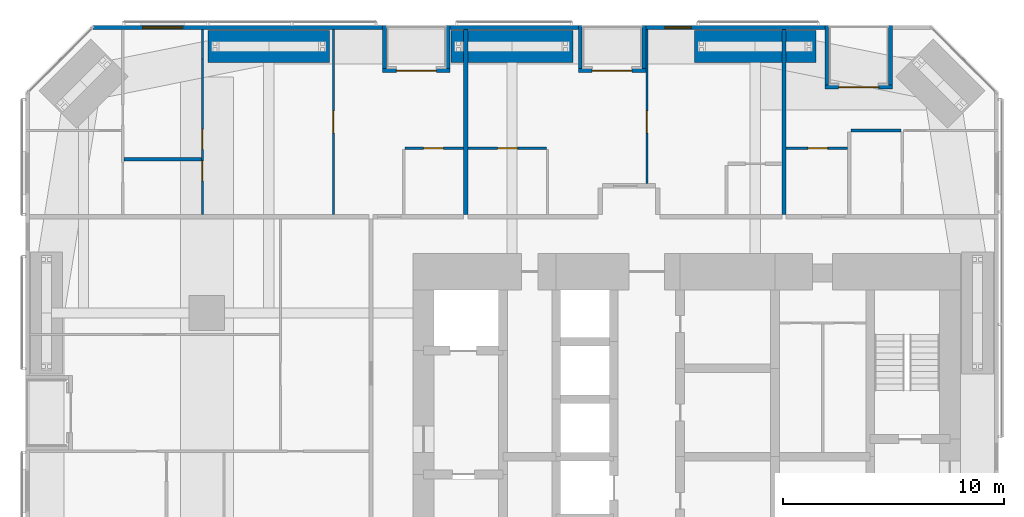
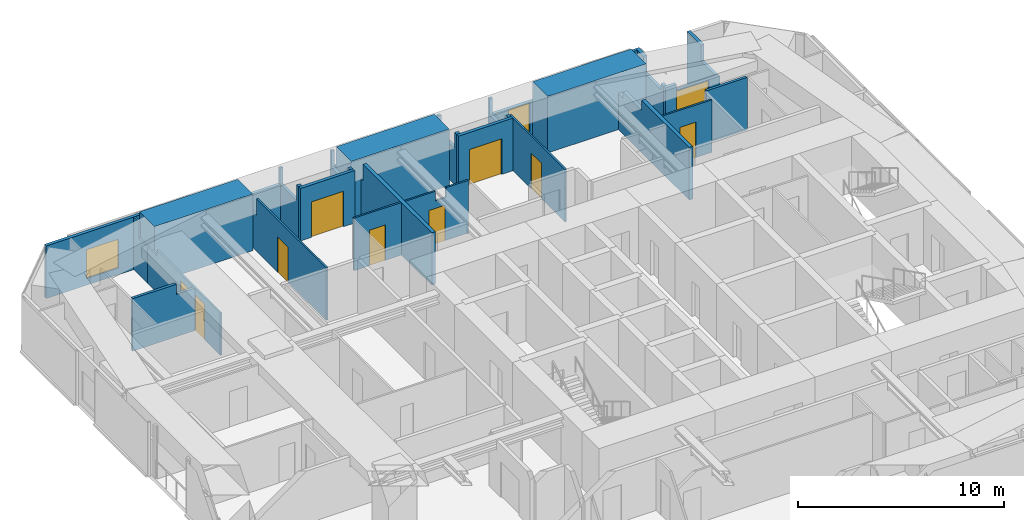
# One storey, part 22 of 24: 27 walls, 10 doors, 2 windows, 12 openings.
"""IFC4 building model written with IfcOpenShell, lengths in metres."""

from ifc_helpers import new_model, si_unit, direction, frame, frame_2d, origin, place, context, subcontext, project, spatial, polyline, rectangle, outline, extrude, material, layer, layer_set, constituent, constituent_set, type_object, element, fill, save


model = new_model("IFC4")

# Units and contexts
model_context = context("Model", 3, precision=1e-05, world=origin(), true_north=direction((0.0, 1.0)))
body_context = subcontext(model_context, "Body", "Model", "MODEL_VIEW")
ifc_project = project(units=[si_unit("LENGTHUNIT", "METRE"), si_unit("AREAUNIT", "SQUARE_METRE"), si_unit("VOLUMEUNIT", "CUBIC_METRE"), si_unit("PLANEANGLEUNIT", "RADIAN"), si_unit("MASSUNIT", "GRAM", prefix="KILO")], contexts=[model_context])

# Site, building, storey
site_placement = place(None, origin())
site = spatial("IfcSite", under=ifc_project, at=site_placement, CompositionType="ELEMENT")
building_placement = place(site_placement, origin())
building = spatial("IfcBuilding", under=site, at=building_placement, Name="Jalousie Tower", CompositionType="ELEMENT")
storey_placement = place(building_placement, frame((0.0, 0.0, 47.800048828125)))
storey = spatial("IfcBuildingStorey", under=building, at=storey_placement, Name="L12", CompositionType="ELEMENT", Elevation=47.800048828125)

# Walls
ifc_material_1 = material(Name="Concrete block ASTM C90", Category="concrete")
ifc_constituent_1 = constituent(ifc_material_1, Name="Body")
ifc_material_2 = material(Name="Render")
ifc_constituent_2 = constituent(ifc_material_2, Name="Finish")
ifc_constituent_set_1 = constituent_set(constituents=[ifc_constituent_1, ifc_constituent_2])
wall_type_1 = type_object("IfcWallType", Name="BATHROOM WALL 150", PredefinedType="PLUMBINGWALL", material=ifc_constituent_set_1)
wall_1_placement = place(storey_placement, frame((6.449951171875, 31.949951171875, 0.0), z_axis=(0.0, 0.0, 1.0), x_axis=(1.0, 0.0, 0.0)))
element("IfcWall", 1, at=wall_1_placement, inside=storey, type_object=wall_type_1, Name="Bathroom Wall 150 L12", PredefinedType="PLUMBINGWALL", context=body_context, shape_type="SweptSolid", body=[
    extrude(outline(polyline([(0.0, 0.0), (3.5, 0.0), (3.5, 3.10986328125), (3.5, 2.510009765625), (2.465087890625, 2.510009765625), (2.465087890625, 3.10986328125), (0.0, 3.10986328125), (0.0, 0.0)])), frame((0.0, 0.074951171875, 0.0), z_axis=(0.0, -1.0, 0.0), x_axis=(1.0, 0.0, 0.0)), (0.0, 0.0, 1.0), 0.14990234375),
])
wall_2_placement = place(storey_placement, frame((39.324951171875, 33.25341796875, 0.0), z_axis=(0.0, 0.0, 1.0), x_axis=(1.0, 0.0, 0.0)))
element("IfcWall", 2, at=wall_2_placement, inside=storey, type_object=wall_type_1, Name="Bathroom Wall 150 L12", PredefinedType="PLUMBINGWALL", context=body_context, shape_type="SweptSolid", body=[
    extrude(rectangle(XDim=2.275146484375, YDim=0.14990234375, at=frame_2d((1.1376953125, 0.0))), origin(), (0.0, 0.0, 1.0), 3.10986328125),
])

# Wall, opening, window
ifc_material_3 = material(Name="Concrete f'c 40 MPa", Category="concrete")
ifc_constituent_3 = constituent(ifc_material_3, Name="Body")
ifc_material_4 = material(Name="Render, pastel coral")
ifc_constituent_4 = constituent(ifc_material_4, Name="Finish")
ifc_constituent_set_2 = constituent_set(constituents=[ifc_constituent_3, ifc_constituent_4])
wall_type_2 = type_object("IfcWallType", Name="EXTERNAL WALL 175 CORAL RENDER", PredefinedType="SOLIDWALL", material=ifc_constituent_set_2)
wall_3_placement = place(storey_placement, frame((38.148681640625, 37.91259765625, 0.0), z_axis=(0.0, 0.0, 1.0), x_axis=(-1.0, 0.0, 0.0)))
wall_3 = element("IfcWall", 3, at=wall_3_placement, inside=storey, type_object=wall_type_2, Name="External Wall 175 Coral Render L12", PredefinedType="SOLIDWALL", context=body_context, shape_type="SweptSolid", body=[
    extrude(outline(polyline([(0.0, 0.0), (8.0986328125, 0.0), (8.0986328125, 2.14990234375), (3.148681640625, 2.14990234375), (3.148681640625, 3.10986328125), (2.992919921875, 3.10986328125), (2.992919921875, 2.14990234375), (2.944580078125, 2.14990234375), (2.944580078125, 3.10986328125), (0.0, 3.10986328125), (0.0, 0.0)])), frame((0.0, 0.08740234375, 0.0), z_axis=(0.0, -1.0, 0.0), x_axis=(1.0, 0.0, 0.0)), (0.0, 0.0, 1.0), 0.175048828125),
])
opening_1_placement = place(wall_3_placement, frame((6.03369140625, 0.0, 0.39990234375)))
opening_1 = element("IfcOpeningElement", 4, at=opening_1_placement, cuts=wall_3, Name="Opening W-COR170", PredefinedType="OPENING", context=body_context, shape_type="SweptSolid", body=[
    extrude(rectangle(XDim=1.199951171875, YDim=1.699951171875, at=frame_2d((0.60009765625, 0.85009765625))), frame((0.0, 0.097412109375, 0.0), z_axis=(0.0, -1.0, 0.0), x_axis=(1.0, 0.0, 0.0)), (0.0, 0.0, 1.0), 0.195068359375),
])
ifc_material_5 = material(Name="Aluminium frame, impact-rated glazing", Category="aluminium")
window_type_1 = type_object("IfcWindowType", Name="WINDOW COR 1200x1700", PartitioningType="SINGLE_PANEL", PredefinedType="WINDOW", material=ifc_material_5)
window_1_placement = place(opening_1_placement, origin())
window_1 = element("IfcWindow", 5, at=window_1_placement, inside=storey, type_object=window_type_1, Name="Apartment 1204 dining room window", OverallHeight=1.699951171875, OverallWidth=1.199951171875, PartitioningType="SINGLE_PANEL", PredefinedType="WINDOW", context=body_context, shape_type="SweptSolid", body=[
    extrude(rectangle(XDim=1.199951171875, YDim=1.699951171875, at=frame_2d((0.60009765625, 0.85009765625))), frame((0.0, 0.030029296875, 0.0), z_axis=(0.0, -1.0, 0.0), x_axis=(1.0, 0.0, 0.0)), (0.0, 0.0, 1.0), 0.06005859375),
])
fill(opening_1, window_1)

# Wall
wall_4_placement = place(storey_placement, frame((27.0, 37.91259765625, 0.0), z_axis=(0.0, 0.0, 1.0), x_axis=(-1.0, 0.0, 0.0)))
element("IfcWall", 6, at=wall_4_placement, inside=storey, type_object=wall_type_2, Name="External Wall 175 Coral Render L12", PredefinedType="SOLIDWALL", context=body_context, shape_type="SweptSolid", body=[
    extrude(rectangle(XDim=5.800048828125, YDim=0.175048828125, at=frame_2d((2.89990234375, 0.0))), origin(), (0.0, 0.0, 1.0), 2.14990234375),
])

# Wall, opening, window
wall_5_placement = place(storey_placement, frame((18.14990234375, 37.91259765625, 0.0), z_axis=(0.0, 0.0, 1.0), x_axis=(-1.0, 0.0, 0.0)))
wall_5 = element("IfcWall", 7, at=wall_5_placement, inside=storey, type_object=wall_type_2, Name="External Wall 175 Coral Render L12", PredefinedType="SOLIDWALL", context=body_context, shape_type="SweptSolid", body=[
    extrude(outline(polyline([(0.0, 0.0), (13.0986328125, 0.0), (13.0986328125, 3.10986328125), (5.35400390625, 3.10986328125), (5.35400390625, 2.14990234375), (5.3056640625, 2.14990234375), (5.3056640625, 3.10986328125), (5.14990234375, 3.10986328125), (5.14990234375, 2.14990234375), (0.0, 2.14990234375), (0.0, 0.0)])), frame((0.0, 0.08740234375, 0.0), z_axis=(0.0, -1.0, 0.0), x_axis=(1.0, 0.0, 0.0)), (0.0, 0.0, 1.0), 0.175048828125),
])
opening_2_placement = place(wall_5_placement, frame((9.050048828125, 0.0, 0.39990234375)))
opening_2 = element("IfcOpeningElement", 8, at=opening_2_placement, cuts=wall_5, Name="Opening W-BED170", PredefinedType="OPENING", context=body_context, shape_type="SweptSolid", body=[
    extrude(rectangle(XDim=1.800048828125, YDim=1.699951171875, at=frame_2d((0.89990234375, 0.85009765625))), frame((0.0, 0.097412109375, 0.0), z_axis=(0.0, -1.0, 0.0), x_axis=(1.0, 0.0, 0.0)), (0.0, 0.0, 1.0), 0.195068359375),
])
ifc_material_6 = material(Name="Aluminium frame, impact-rated glazing", Category="aluminium")
window_type_2 = type_object("IfcWindowType", Name="WINDOW BED 1800x1700", PartitioningType="SINGLE_PANEL", PredefinedType="WINDOW", material=ifc_material_6)
window_2_placement = place(opening_2_placement, origin())
window_2 = element("IfcWindow", 9, at=window_2_placement, inside=storey, type_object=window_type_2, Name="Apartment 1203 bedroom 2 window", OverallHeight=1.699951171875, OverallWidth=1.800048828125, PartitioningType="SINGLE_PANEL", PredefinedType="WINDOW", context=body_context, shape_type="SweptSolid", body=[
    extrude(rectangle(XDim=1.800048828125, YDim=1.699951171875, at=frame_2d((0.89990234375, 0.85009765625))), frame((0.0, 0.030029296875, 0.0), z_axis=(0.0, -1.0, 0.0), x_axis=(1.0, 0.0, 0.0)), (0.0, 0.0, 1.0), 0.06005859375),
])
fill(opening_2, window_2)

# Wall, opening, door
wall_6_placement = place(storey_placement, frame((41.19873046875, 35.21240234375, 0.0), z_axis=(0.0, 0.0, 1.0), x_axis=(-1.0, 0.0, 0.0)))
wall_6 = element("IfcWall", 10, at=wall_6_placement, inside=storey, type_object=wall_type_2, Name="External Wall 175 Coral Render L12-A", PredefinedType="SOLIDWALL", context=body_context, shape_type="SweptSolid", body=[
    extrude(rectangle(XDim=2.425048828125, YDim=0.175048828125, at=frame_2d((1.21240234375, 0.0))), origin(), (0.0, 0.0, 1.0), 2.14990234375),
])
opening_3_placement = place(wall_6_placement, frame((0.625, 0.0, 0.0)))
opening_3 = element("IfcOpeningElement", 11, at=opening_3_placement, cuts=wall_6, Name="Opening D-BAL21", PredefinedType="OPENING", context=body_context, shape_type="SweptSolid", body=[
    extrude(rectangle(XDim=1.800048828125, YDim=2.10009765625, at=frame_2d((0.89990234375, 1.050048828125))), frame((0.0, 0.097412109375, 0.0), z_axis=(0.0, -1.0, 0.0), x_axis=(1.0, 0.0, 0.0)), (0.0, 0.0, 1.0), 0.195068359375),
])
ifc_material_7 = material(Name="Aluminium frame, impact-rated glazing", Category="aluminium")
door_type_1 = type_object("IfcDoorType", Name="BALCONY DOOR 1800x2100", OperationType="SLIDING_TO_LEFT", PredefinedType="DOOR", material=ifc_material_7)
door_1_placement = place(opening_3_placement, origin())
door_1 = element("IfcDoor", 12, at=door_1_placement, inside=storey, type_object=door_type_1, Name="Apartment 1205 living and dining room loggia door", OperationType="SLIDING_TO_LEFT", OverallHeight=2.10009765625, OverallWidth=1.800048828125, PredefinedType="DOOR", context=body_context, shape_type="SweptSolid", body=[
    extrude(rectangle(XDim=1.800048828125, YDim=2.10009765625, at=frame_2d((0.89990234375, 1.050048828125))), frame((0.0, 0.02490234375, 0.0), z_axis=(0.0, -1.0, 0.0), x_axis=(1.0, 0.0, 0.0)), (0.0, 0.0, 1.0), 0.050048828125),
])
fill(opening_3, door_1)

# Walls
wall_7_placement = place(storey_placement, frame((38.773681640625, 35.21240234375, 0.0), z_axis=(0.0, 0.0, 1.0), x_axis=(-1.0, 0.0, 0.0)))
element("IfcWall", 13, at=wall_7_placement, inside=storey, type_object=wall_type_2, Name="External Wall 175 Coral Render L12-B", PredefinedType="SOLIDWALL", context=body_context, shape_type="SweptSolid", body=[
    extrude(rectangle(XDim=0.625, YDim=0.175048828125, at=frame_2d((0.3125, 0.0))), origin(), (0.0, 0.0, 1.0), 2.510009765625),
])
wall_8_placement = place(storey_placement, frame((41.111083984375, 38.0, 0.0), z_axis=(0.0, 0.0, 1.0), x_axis=(0.0, -1.0, 0.0)))
element("IfcWall", 14, at=wall_8_placement, inside=storey, type_object=wall_type_2, Name="External Wall 175 Coral Render L12", PredefinedType="SOLIDWALL", context=body_context, shape_type="SweptSolid", body=[
    extrude(outline(polyline([(0.0, 0.0), (2.699951171875, 0.0), (2.699951171875, 2.14990234375), (1.34423828125, 2.14990234375), (1.34423828125, 3.10986328125), (0.0, 3.10986328125), (0.0, 0.0)])), frame((0.0, 0.08740234375, 0.0), z_axis=(0.0, -1.0, 0.0), x_axis=(1.0, 0.0, 0.0)), (0.0, 0.0, 1.0), 0.175048828125),
])
wall_9_placement = place(storey_placement, frame((38.236083984375, 38.0, 0.0), z_axis=(0.0, 0.0, 1.0), x_axis=(0.0, -1.0, 0.0)))
element("IfcWall", 15, at=wall_9_placement, inside=storey, type_object=wall_type_2, Name="External Wall 175 Coral Render L12", PredefinedType="SOLIDWALL", context=body_context, shape_type="SweptSolid", body=[
    extrude(outline(polyline([(0.0, 0.0), (2.699951171875, 0.0), (2.699951171875, 2.510009765625), (2.433837890625, 2.510009765625), (2.433837890625, 2.14990234375), (0.7666015625, 2.14990234375), (0.7666015625, 3.10986328125), (0.0, 3.10986328125), (0.0, 0.0)])), frame((0.0, 0.08740234375, 0.0), z_axis=(0.0, -1.0, 0.0), x_axis=(1.0, 0.0, 0.0)), (0.0, 0.0, 1.0), 0.175048828125),
])

# Wall, opening, door
wall_10_placement = place(storey_placement, frame((30.050048828125, 35.96240234375, 0.0), z_axis=(0.0, 0.0, 1.0), x_axis=(-1.0, 0.0, 0.0)))
wall_10 = element("IfcWall", 16, at=wall_10_placement, inside=storey, type_object=wall_type_2, Name="External Wall 175 Coral Render L12", PredefinedType="SOLIDWALL", context=body_context, shape_type="SweptSolid", body=[
    extrude(rectangle(XDim=3.050048828125, YDim=0.175048828125, at=frame_2d((1.52490234375, 0.0))), origin(), (0.0, 0.0, 1.0), 3.10986328125),
])
opening_4_placement = place(wall_10_placement, frame((0.625, 0.0, 0.0)))
opening_4 = element("IfcOpeningElement", 17, at=opening_4_placement, cuts=wall_10, Name="Opening D-BAL21", PredefinedType="OPENING", context=body_context, shape_type="SweptSolid", body=[
    extrude(rectangle(XDim=1.800048828125, YDim=2.10009765625, at=frame_2d((0.89990234375, 1.050048828125))), frame((0.0, 0.097412109375, 0.0), z_axis=(0.0, -1.0, 0.0), x_axis=(1.0, 0.0, 0.0)), (0.0, 0.0, 1.0), 0.195068359375),
])
door_2_placement = place(opening_4_placement, origin())
door_2 = element("IfcDoor", 18, at=door_2_placement, inside=storey, type_object=door_type_1, Name="Apartment 1204 studio living and sleeping room loggia door", OperationType="SLIDING_TO_LEFT", OverallHeight=2.10009765625, OverallWidth=1.800048828125, PredefinedType="DOOR", context=body_context, shape_type="SweptSolid", body=[
    extrude(rectangle(XDim=1.800048828125, YDim=2.10009765625, at=frame_2d((0.89990234375, 1.050048828125))), frame((0.0, 0.02490234375, 0.0), z_axis=(0.0, -1.0, 0.0), x_axis=(1.0, 0.0, 0.0)), (0.0, 0.0, 1.0), 0.050048828125),
])
fill(opening_4, door_2)

# Walls
for number, where, z_axis, x_axis, name in (
    (19, (29.96240234375, 38.0, 0.0), (0.0, 0.0, 1.0), (0.0, -1.0, 0.0), "External Wall 175 Coral Render L12"),
    (20, (27.08740234375, 38.0, 0.0), (0.0, 0.0, 1.0), (0.0, -1.0, 0.0), "External Wall 175 Coral Render L12"),
):
    element("IfcWall", number, at=place(storey_placement, frame(where, z_axis=z_axis, x_axis=x_axis)), inside=storey, type_object=wall_type_2, Name=name, PredefinedType="SOLIDWALL", context=body_context, shape_type="SweptSolid", body=[
        extrude(outline(polyline([(0.0, 0.0), (1.949951171875, 0.0), (1.949951171875, 3.10986328125), (1.75, 3.10986328125), (1.75, 2.14990234375), (0.14990234375, 2.14990234375), (0.14990234375, 3.10986328125), (0.0, 3.10986328125), (0.0, 0.0)])), frame((0.0, 0.08740234375, 0.0), z_axis=(0.0, -1.0, 0.0), x_axis=(1.0, 0.0, 0.0)), (0.0, 0.0, 1.0), 0.175048828125),
    ])

# Wall, opening, door
wall_11_placement = place(storey_placement, frame((21.199951171875, 35.96240234375, 0.0), z_axis=(0.0, 0.0, 1.0), x_axis=(-1.0, 0.0, 0.0)))
wall_11 = element("IfcWall", 21, at=wall_11_placement, inside=storey, type_object=wall_type_2, Name="External Wall 175 Coral Render L12", PredefinedType="SOLIDWALL", context=body_context, shape_type="SweptSolid", body=[
    extrude(rectangle(XDim=3.050048828125, YDim=0.175048828125, at=frame_2d((1.52490234375, 0.0))), origin(), (0.0, 0.0, 1.0), 3.10986328125),
])
opening_5_placement = place(wall_11_placement, frame((0.625, 0.0, 0.0)))
opening_5 = element("IfcOpeningElement", 22, at=opening_5_placement, cuts=wall_11, Name="Opening D-BAL21", PredefinedType="OPENING", context=body_context, shape_type="SweptSolid", body=[
    extrude(rectangle(XDim=1.800048828125, YDim=2.10009765625, at=frame_2d((0.89990234375, 1.050048828125))), frame((0.0, 0.097412109375, 0.0), z_axis=(0.0, -1.0, 0.0), x_axis=(1.0, 0.0, 0.0)), (0.0, 0.0, 1.0), 0.195068359375),
])
door_3_placement = place(opening_5_placement, origin())
door_3 = element("IfcDoor", 23, at=door_3_placement, inside=storey, type_object=door_type_1, Name="Apartment 1203 living room loggia door", OperationType="SLIDING_TO_LEFT", OverallHeight=2.10009765625, OverallWidth=1.800048828125, PredefinedType="DOOR", context=body_context, shape_type="SweptSolid", body=[
    extrude(rectangle(XDim=1.800048828125, YDim=2.10009765625, at=frame_2d((0.89990234375, 1.050048828125))), frame((0.0, 0.02490234375, 0.0), z_axis=(0.0, -1.0, 0.0), x_axis=(1.0, 0.0, 0.0)), (0.0, 0.0, 1.0), 0.050048828125),
])
fill(opening_5, door_3)

# Walls
for number, where, z_axis, x_axis, name in (
    (24, (21.112548828125, 38.0, 0.0), (0.0, 0.0, 1.0), (0.0, -1.0, 0.0), "External Wall 175 Coral Render L12"),
    (25, (18.237548828125, 38.0, 0.0), (0.0, 0.0, 1.0), (0.0, -1.0, 0.0), "External Wall 175 Coral Render L12"),
):
    element("IfcWall", number, at=place(storey_placement, frame(where, z_axis=z_axis, x_axis=x_axis)), inside=storey, type_object=wall_type_2, Name=name, PredefinedType="SOLIDWALL", context=body_context, shape_type="SweptSolid", body=[
        extrude(outline(polyline([(0.0, 0.0), (1.949951171875, 0.0), (1.949951171875, 3.10986328125), (1.75, 3.10986328125), (1.75, 2.14990234375), (0.14990234375, 2.14990234375), (0.14990234375, 3.10986328125), (0.0, 3.10986328125), (0.0, 0.0)])), frame((0.0, 0.08740234375, 0.0), z_axis=(0.0, -1.0, 0.0), x_axis=(1.0, 0.0, 0.0)), (0.0, 0.0, 1.0), 0.175048828125),
    ])
ifc_material_8 = material(Name="Gypsum board", Category="gypsum")
ifc_constituent_5 = constituent(ifc_material_8, Name="Body")
ifc_material_9 = material(Name="Light-gauge steel studs ASTM A653 SS Grade 33", Category="steel")
ifc_constituent_6 = constituent(ifc_material_9, Name="Framing")
ifc_constituent_set_3 = constituent_set(constituents=[ifc_constituent_5, ifc_constituent_6])
wall_type_3 = type_object("IfcWallType", Name="PARTITION 100", PredefinedType="PARTITIONING", material=ifc_constituent_set_3)
wall_12_placement = place(storey_placement, frame((10.0, 37.824951171875, 0.0), z_axis=(0.0, 0.0, 1.0), x_axis=(0.0, -1.0, 0.0)))
element("IfcWall", 26, at=wall_12_placement, inside=storey, type_object=wall_type_3, Name="Partition 100 L12-A", PredefinedType="PARTITIONING", context=body_context, shape_type="SweptSolid", body=[
    extrude(outline(polyline([(0.0, 0.0), (1.337646484375, 0.0), (1.337646484375, 2.14990234375), (0.50048828125, 2.14990234375), (0.50048828125, 3.10986328125), (0.0, 3.10986328125), (0.0, 0.0)])), frame((0.0, 0.050048828125, 0.0), z_axis=(0.0, -1.0, 0.0), x_axis=(1.0, 0.0, 0.0)), (0.0, 0.0, 1.0), 0.10009765625),
])

# Wall, openings, doors
wall_13_placement = place(storey_placement, frame((10.0, 36.4873046875, 0.0), z_axis=(0.0, 0.0, 1.0), x_axis=(0.0, -1.0, 0.0)))
wall_13 = element("IfcWall", 27, at=wall_13_placement, inside=storey, type_object=wall_type_3, Name="Partition 100 L12-B", PredefinedType="PARTITIONING", context=body_context, shape_type="SweptSolid", body=[
    extrude(outline(polyline([(0.0, 0.0), (7.037353515625, 0.0), (7.037353515625, 2.510009765625), (0.917236328125, 2.510009765625), (0.917236328125, 2.14990234375), (0.0, 2.14990234375), (0.0, 0.0)])), frame((0.0, 0.050048828125, 0.0), z_axis=(0.0, -1.0, 0.0), x_axis=(1.0, 0.0, 0.0)), (0.0, 0.0, 1.0), 0.10009765625),
])
opening_6_placement = place(wall_13_placement, frame((3.1875, 0.0, 0.0)))
opening_6 = element("IfcOpeningElement", 28, at=opening_6_placement, cuts=wall_13, Name="Opening D2", PredefinedType="OPENING", context=body_context, shape_type="SweptSolid", body=[
    extrude(rectangle(XDim=0.89990234375, YDim=2.10009765625, at=frame_2d((0.449951171875, 1.050048828125))), frame((0.0, 0.06005859375, 0.0), z_axis=(0.0, -1.0, 0.0), x_axis=(1.0, 0.0, 0.0)), (0.0, 0.0, 1.0), 0.1201171875),
])
opening_7_placement = place(wall_13_placement, frame((4.6123046875, 0.0, 0.0)))
opening_7 = element("IfcOpeningElement", 29, at=opening_7_placement, cuts=wall_13, Name="Opening D7", PredefinedType="OPENING", context=body_context, shape_type="SweptSolid", body=[
    extrude(rectangle(XDim=0.89990234375, YDim=2.10009765625, at=frame_2d((0.449951171875, 1.050048828125))), frame((0.0, 0.06005859375, 0.0), z_axis=(0.0, -1.0, 0.0), x_axis=(1.0, 0.0, 0.0)), (0.0, 0.0, 1.0), 0.1201171875),
])
ifc_material_10 = material(Name="Timber door", Category="wood")
door_type_2 = type_object("IfcDoorType", Name="BEDROOM DOOR 900", OperationType="SINGLE_SWING_LEFT", PredefinedType="DOOR", material=ifc_material_10)
door_4_placement = place(opening_6_placement, frame((0.89990234375, 0.0, 0.0), z_axis=(0.0, 0.0, 1.0), x_axis=(-1.0, 0.0, 0.0)))
door_4 = element("IfcDoor", 30, at=door_4_placement, inside=storey, type_object=door_type_2, Name="Apartment 1203 bedroom 2 door", OperationType="SINGLE_SWING_LEFT", OverallHeight=2.10009765625, OverallWidth=0.89990234375, PredefinedType="DOOR", context=body_context, shape_type="SweptSolid", body=[
    extrude(rectangle(XDim=0.89990234375, YDim=2.10009765625, at=frame_2d((0.449951171875, 1.050048828125))), frame((0.0, 0.02490234375, 0.0), z_axis=(0.0, -1.0, 0.0), x_axis=(1.0, 0.0, 0.0)), (0.0, 0.0, 1.0), 0.050048828125),
])
fill(opening_6, door_4)
ifc_material_11 = material(Name="Timber door", Category="wood")
door_type_3 = type_object("IfcDoorType", Name="INTERNAL DOOR 900", OperationType="SINGLE_SWING_LEFT", PredefinedType="DOOR", material=ifc_material_11)
door_5_placement = place(opening_7_placement, frame((0.89990234375, 0.0, 0.0), z_axis=(0.0, 0.0, 1.0), x_axis=(-1.0, 0.0, 0.0)))
door_5 = element("IfcDoor", 31, at=door_5_placement, inside=storey, type_object=door_type_3, Name="Apartment 1203 bathroom door", OperationType="SINGLE_SWING_RIGHT", OverallHeight=2.10009765625, OverallWidth=0.89990234375, PredefinedType="DOOR", context=body_context, shape_type="SweptSolid", body=[
    extrude(rectangle(XDim=0.89990234375, YDim=2.10009765625, at=frame_2d((0.449951171875, 1.050048828125))), frame((0.0, 0.02490234375, 0.0), z_axis=(0.0, -1.0, 0.0), x_axis=(1.0, 0.0, 0.0)), (0.0, 0.0, 1.0), 0.050048828125),
])
fill(opening_7, door_5)

# Wall, opening, door
wall_14_placement = place(storey_placement, frame((19.14990234375, 32.449951171875, 0.0), z_axis=(0.0, 0.0, 1.0), x_axis=(1.0, 0.0, 0.0)))
wall_14 = element("IfcWall", 32, at=wall_14_placement, inside=storey, type_object=wall_type_3, Name="Partition 100 L12", PredefinedType="PARTITIONING", context=body_context, shape_type="SweptSolid", body=[
    extrude(rectangle(XDim=2.650146484375, YDim=0.10009765625, at=frame_2d((1.3251953125, 0.0))), origin(), (0.0, 0.0, 1.0), 3.10986328125),
])
opening_8_placement = place(wall_14_placement, frame((0.85009765625, 0.0, 0.0)))
opening_8 = element("IfcOpeningElement", 33, at=opening_8_placement, cuts=wall_14, Name="Opening D7", PredefinedType="OPENING", context=body_context, shape_type="SweptSolid", body=[
    extrude(rectangle(XDim=0.89990234375, YDim=2.10009765625, at=frame_2d((0.449951171875, 1.050048828125))), frame((0.0, 0.06005859375, 0.0), z_axis=(0.0, -1.0, 0.0), x_axis=(1.0, 0.0, 0.0)), (0.0, 0.0, 1.0), 0.1201171875),
])
door_6_placement = place(opening_8_placement, frame((0.89990234375, 0.0, 0.0), z_axis=(0.0, 0.0, 1.0), x_axis=(-1.0, 0.0, 0.0)))
door_6 = element("IfcDoor", 34, at=door_6_placement, inside=storey, type_object=door_type_3, Name="Apartment 1203 kitchen door", OperationType="SINGLE_SWING_RIGHT", OverallHeight=2.10009765625, OverallWidth=0.89990234375, PredefinedType="DOOR", context=body_context, shape_type="SweptSolid", body=[
    extrude(rectangle(XDim=0.89990234375, YDim=2.10009765625, at=frame_2d((0.449951171875, 1.050048828125))), frame((0.0, 0.02490234375, 0.0), z_axis=(0.0, -1.0, 0.0), x_axis=(1.0, 0.0, 0.0)), (0.0, 0.0, 1.0), 0.050048828125),
])
fill(opening_8, door_6)

wall_15_placement = place(storey_placement, frame((15.925048828125, 37.824951171875, 0.0), z_axis=(0.0, 0.0, 1.0), x_axis=(0.0, -1.0, 0.0)))
wall_15 = element("IfcWall", 35, at=wall_15_placement, inside=storey, type_object=wall_type_3, Name="Partition 100 L12", PredefinedType="PARTITIONING", context=body_context, shape_type="SweptSolid", body=[
    extrude(outline(polyline([(0.0, 0.0), (8.375, 0.0), (8.375, 3.10986328125), (1.635009765625, 3.10986328125), (1.635009765625, 2.14990234375), (0.0, 2.14990234375), (0.0, 3.10986328125), (0.0, 0.0)])), frame((0.0, 0.050048828125, 0.0), z_axis=(0.0, -1.0, 0.0), x_axis=(1.0, 0.0, 0.0)), (0.0, 0.0, 1.0), 0.10009765625),
])
opening_9_placement = place(wall_15_placement, frame((3.6875, 0.0, 0.0)))
opening_9 = element("IfcOpeningElement", 36, at=opening_9_placement, cuts=wall_15, Name="Opening D6", PredefinedType="OPENING", context=body_context, shape_type="SweptSolid", body=[
    extrude(rectangle(XDim=1.0, YDim=2.10009765625, at=frame_2d((0.5, 1.050048828125))), frame((0.0, 0.06005859375, 0.0), z_axis=(0.0, -1.0, 0.0), x_axis=(1.0, 0.0, 0.0)), (0.0, 0.0, 1.0), 0.1201171875),
])
ifc_material_12 = material(Name="Timber door", Category="wood")
door_type_4 = type_object("IfcDoorType", Name="INTERNAL DOOR 1000", OperationType="SINGLE_SWING_LEFT", PredefinedType="DOOR", material=ifc_material_12)
door_7_placement = place(opening_9_placement, frame((1.0, 0.0, 0.0), z_axis=(0.0, 0.0, 1.0), x_axis=(-1.0, 0.0, 0.0)))
door_7 = element("IfcDoor", 37, at=door_7_placement, inside=storey, type_object=door_type_4, Name="Apartment 1203 dining room door", OperationType="SINGLE_SWING_RIGHT", OverallHeight=2.10009765625, OverallWidth=1.0, PredefinedType="DOOR", context=body_context, shape_type="SweptSolid", body=[
    extrude(rectangle(XDim=1.0, YDim=2.10009765625, at=frame_2d((0.5, 1.050048828125))), frame((0.0, 0.02490234375, 0.0), z_axis=(0.0, -1.0, 0.0), x_axis=(1.0, 0.0, 0.0)), (0.0, 0.0, 1.0), 0.050048828125),
])
fill(opening_9, door_7)

wall_16_placement = place(storey_placement, frame((22.0, 32.449951171875, 0.0), z_axis=(0.0, 0.0, 1.0), x_axis=(1.0, 0.0, 0.0)))
wall_16 = element("IfcWall", 38, at=wall_16_placement, inside=storey, type_object=wall_type_3, Name="Partition 100 L12", PredefinedType="PARTITIONING", context=body_context, shape_type="SweptSolid", body=[
    extrude(outline(polyline([(0.0, 0.0), (3.550048828125, 0.0), (3.550048828125, 3.10986328125), (2.287353515625, 3.10986328125), (2.287353515625, 2.541015625), (1.712646484375, 2.541015625), (1.712646484375, 3.10986328125), (0.0, 3.10986328125), (0.0, 0.0)])), frame((0.0, 0.050048828125, 0.0), z_axis=(0.0, -1.0, 0.0), x_axis=(1.0, 0.0, 0.0)), (0.0, 0.0, 1.0), 0.10009765625),
])
opening_10_placement = place(wall_16_placement, frame((1.35009765625, 0.0, 0.0)))
opening_10 = element("IfcOpeningElement", 39, at=opening_10_placement, cuts=wall_16, Name="Opening D7", PredefinedType="OPENING", context=body_context, shape_type="SweptSolid", body=[
    extrude(rectangle(XDim=0.89990234375, YDim=2.10009765625, at=frame_2d((0.449951171875, 1.050048828125))), frame((0.0, 0.06005859375, 0.0), z_axis=(0.0, -1.0, 0.0), x_axis=(1.0, 0.0, 0.0)), (0.0, 0.0, 1.0), 0.1201171875),
])
door_8_placement = place(opening_10_placement, frame((0.89990234375, 0.0, 0.0), z_axis=(0.0, 0.0, 1.0), x_axis=(-1.0, 0.0, 0.0)))
door_8 = element("IfcDoor", 40, at=door_8_placement, inside=storey, type_object=door_type_3, Name="Apartment 1204 kitchen door", OperationType="SINGLE_SWING_LEFT", OverallHeight=2.10009765625, OverallWidth=0.89990234375, PredefinedType="DOOR", context=body_context, shape_type="SweptSolid", body=[
    extrude(rectangle(XDim=0.89990234375, YDim=2.10009765625, at=frame_2d((0.449951171875, 1.050048828125))), frame((0.0, 0.02490234375, 0.0), z_axis=(0.0, -1.0, 0.0), x_axis=(1.0, 0.0, 0.0)), (0.0, 0.0, 1.0), 0.050048828125),
])
fill(opening_10, door_8)

wall_17_placement = place(storey_placement, frame((30.10009765625, 37.824951171875, 0.0), z_axis=(0.0, 0.0, 1.0), x_axis=(0.0, -1.0, 0.0)))
wall_17 = element("IfcWall", 41, at=wall_17_placement, inside=storey, type_object=wall_type_3, Name="Partition 100 L12", PredefinedType="PARTITIONING", context=body_context, shape_type="SweptSolid", body=[
    extrude(outline(polyline([(0.0, 0.0), (6.974853515625, 0.0), (6.97509765625, 3.10986328125), (1.635009765625, 3.10986328125), (1.635009765625, 2.14990234375), (0.0, 2.14990234375), (0.0, 3.10986328125), (0.0, 0.0)])), frame((0.0, 0.050048828125, 0.0), z_axis=(0.0, -1.0, 0.0), x_axis=(1.0, 0.0, 0.0)), (0.0, 0.0, 1.0), 0.10009765625),
])
opening_11_placement = place(wall_17_placement, frame((3.6875, 0.0, 0.0)))
opening_11 = element("IfcOpeningElement", 42, at=opening_11_placement, cuts=wall_17, Name="Opening D6", PredefinedType="OPENING", context=body_context, shape_type="SweptSolid", body=[
    extrude(rectangle(XDim=1.0, YDim=2.10009765625, at=frame_2d((0.5, 1.050048828125))), frame((0.0, 0.06005859375, 0.0), z_axis=(0.0, -1.0, 0.0), x_axis=(1.0, 0.0, 0.0)), (0.0, 0.0, 1.0), 0.1201171875),
])
door_9_placement = place(opening_11_placement, origin())
door_9 = element("IfcDoor", 43, at=door_9_placement, inside=storey, type_object=door_type_4, Name="Apartment 1204 dining room door", OperationType="SINGLE_SWING_RIGHT", OverallHeight=2.10009765625, OverallWidth=1.0, PredefinedType="DOOR", context=body_context, shape_type="SweptSolid", body=[
    extrude(rectangle(XDim=1.0, YDim=2.10009765625, at=frame_2d((0.5, 1.050048828125))), frame((0.0, 0.02490234375, 0.0), z_axis=(0.0, -1.0, 0.0), x_axis=(1.0, 0.0, 0.0)), (0.0, 0.0, 1.0), 0.050048828125),
])
fill(opening_11, door_9)

wall_18_placement = place(storey_placement, frame((36.39990234375, 32.449951171875, 0.0), z_axis=(0.0, 0.0, 1.0), x_axis=(1.0, 0.0, 0.0)))
wall_18 = element("IfcWall", 44, at=wall_18_placement, inside=storey, type_object=wall_type_3, Name="Partition 100 L12", PredefinedType="PARTITIONING", context=body_context, shape_type="SweptSolid", body=[
    extrude(rectangle(XDim=2.775146484375, YDim=0.10009765625, at=frame_2d((1.3876953125, 0.0))), origin(), (0.0, 0.0, 1.0), 3.10986328125),
])
opening_12_placement = place(wall_18_placement, frame((0.97509765625, 0.0, 0.0)))
opening_12 = element("IfcOpeningElement", 45, at=opening_12_placement, cuts=wall_18, Name="Opening D7", PredefinedType="OPENING", context=body_context, shape_type="SweptSolid", body=[
    extrude(rectangle(XDim=0.89990234375, YDim=2.10009765625, at=frame_2d((0.449951171875, 1.050048828125))), frame((0.0, 0.06005859375, 0.0), z_axis=(0.0, -1.0, 0.0), x_axis=(1.0, 0.0, 0.0)), (0.0, 0.0, 1.0), 0.1201171875),
])
door_10_placement = place(opening_12_placement, origin())
door_10 = element("IfcDoor", 46, at=door_10_placement, inside=storey, type_object=door_type_3, Name="Apartment 1205 kitchen door", OperationType="SINGLE_SWING_RIGHT", OverallHeight=2.10009765625, OverallWidth=0.89990234375, PredefinedType="DOOR", context=body_context, shape_type="SweptSolid", body=[
    extrude(rectangle(XDim=0.89990234375, YDim=2.10009765625, at=frame_2d((0.449951171875, 1.050048828125))), frame((0.0, 0.02490234375, 0.0), z_axis=(0.0, -1.0, 0.0), x_axis=(1.0, 0.0, 0.0)), (0.0, 0.0, 1.0), 0.050048828125),
])
fill(opening_12, door_10)

# Walls
ifc_material_13 = material(Name="Concrete block ASTM C90", Category="concrete")
ifc_constituent_7 = constituent(ifc_material_13, Name="Body")
ifc_material_14 = material(Name="Render")
ifc_constituent_8 = constituent(ifc_material_14, Name="Finish")
ifc_constituent_set_4 = constituent_set(constituents=[ifc_constituent_7, ifc_constituent_8])
wall_type_4 = type_object("IfcWallType", Name="PARTY WALL 200", PredefinedType="PARTITIONING", material=ifc_constituent_set_4)
wall_19_placement = place(storey_placement, frame((21.89990234375, 37.824951171875, 0.0), z_axis=(0.0, 0.0, 1.0), x_axis=(0.0, -1.0, 0.0)))
element("IfcWall", 47, at=wall_19_placement, inside=storey, type_object=wall_type_4, Name="Party Wall 200 L12", PredefinedType="PARTITIONING", context=body_context, shape_type="SweptSolid", body=[
    extrude(outline(polyline([(0.52880859375, 2.14990234375), (0.0, 2.14990234375), (0.0, 0.0), (0.52880859375, 0.0), (0.52880859375, 0.055419921875), (1.021240234375, 0.055419921875), (1.021240234375, 0.0), (8.375, 0.0), (8.375, 3.10986328125), (1.68505859375, 3.10986328125), (1.68505859375, 2.14990234375), (1.021240234375, 2.14990234375), (1.021240234375, 2.094482421875), (0.52880859375, 2.094482421875), (0.52880859375, 2.14990234375)])), frame((0.0, 0.10009765625, 0.0), z_axis=(0.0, -1.0, 0.0), x_axis=(1.0, 0.0, 0.0)), (0.0, 0.0, 1.0), 0.199951171875),
])
wall_20_placement = place(storey_placement, frame((36.300048828125, 37.824951171875, 0.0), z_axis=(0.0, 0.0, 1.0), x_axis=(0.0, -1.0, 0.0)))
element("IfcWall", 48, at=wall_20_placement, inside=storey, type_object=wall_type_4, Name="Party Wall 200 L12", PredefinedType="PARTITIONING", context=body_context, shape_type="SweptSolid", body=[
    extrude(outline(polyline([(0.10791015625, 3.10986328125), (0.0, 3.10986328125), (0.0, 0.0), (0.52880859375, 0.0), (0.52880859375, 0.60791015625), (1.021240234375, 0.60791015625), (1.021240234375, 0.0), (8.375, 0.0), (8.375, 3.10986328125), (3.766357421875, 3.10986328125), (3.766357421875, 2.510009765625), (1.96435546875, 2.510009765625), (1.96435546875, 2.14990234375), (1.021240234375, 2.14990234375), (1.021240234375, 1.5419921875), (0.52880859375, 1.5419921875), (0.52880859375, 2.14990234375), (0.10791015625, 2.14990234375), (0.10791015625, 3.10986328125)])), frame((0.0, 0.10009765625, 0.0), z_axis=(0.0, -1.0, 0.0), x_axis=(1.0, 0.0, 0.0)), (0.0, 0.0, 1.0), 0.199951171875),
])
ifc_material_15 = material(Name="Concrete f'c 120 MPa", Category="concrete")
ifc_layer = layer(ifc_material_15, 1.449951171875)
ifc_layer_set = layer_set([ifc_layer], Name="Concrete f'c 120 MPa")
wall_type_5 = type_object("IfcWallType", Name="RC WALL PIER 1450", PredefinedType="SHEAR", material=ifc_layer_set)
for number, where, z_axis, x_axis, name in (
    (49, (32.25, 37.050048828125, 0.0), (0.0, 0.0, 1.0), (1.0, 0.0, 0.0), "Wall pier 09 L12"),
    (50, (21.25, 37.050048828125, 0.0), (0.0, 0.0, 1.0), (1.0, 0.0, 0.0), "Wall pier 10 L12"),
    (51, (10.25, 37.050048828125, 0.0), (0.0, 0.0, 1.0), (1.0, 0.0, 0.0), "Wall pier 11 L12"),
):
    element("IfcWall", number, at=place(storey_placement, frame(where, z_axis=z_axis, x_axis=x_axis)), inside=storey, type_object=wall_type_5, Name=name, PredefinedType="SHEAR", context=body_context, shape_type="SweptSolid", body=[
        extrude(rectangle(XDim=5.5, YDim=1.449951171875, at=frame_2d((2.75, 0.0))), origin(), (0.0, 0.0, 1.0), 3.349853515625),
    ])

save(model, "model.ifc")
